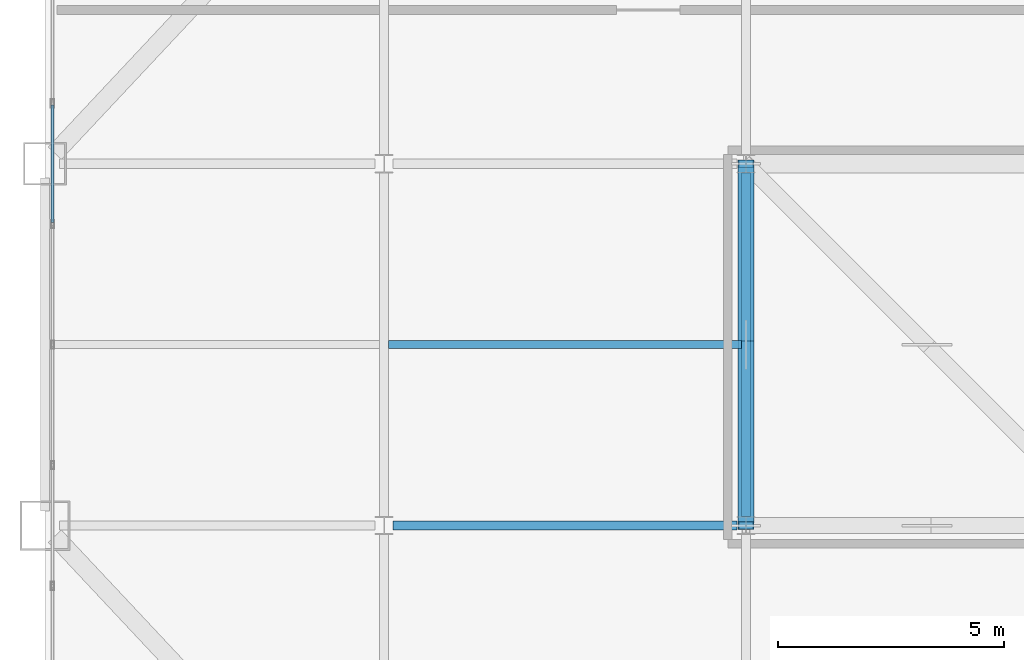
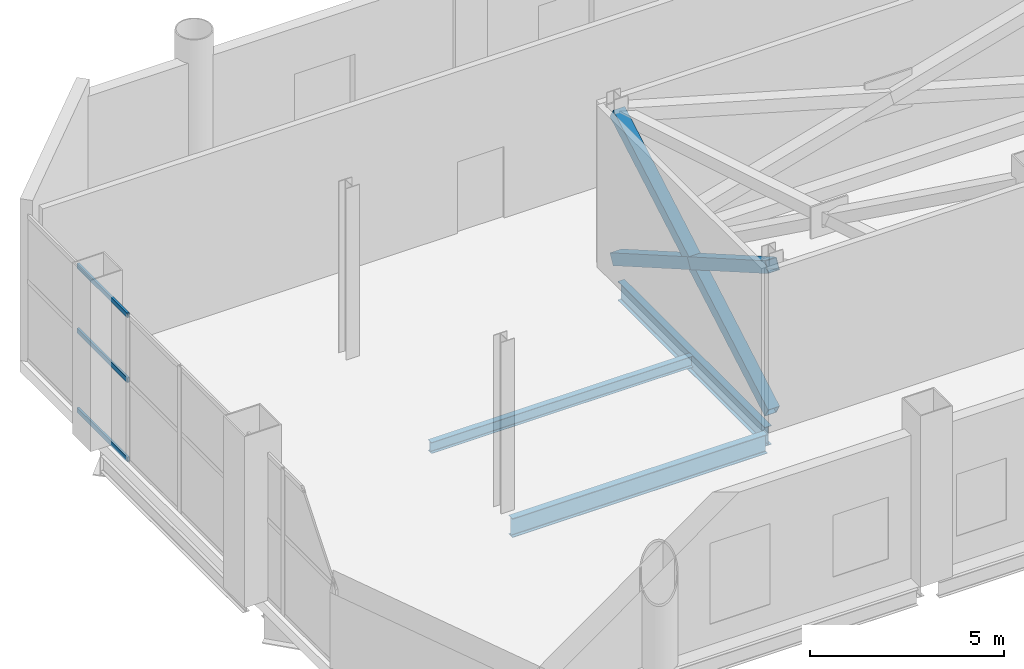
# One storey, part 15 of 24: 6 members, 3 beams, 1 element without a shape of its own.
"""IFC4 building model written with IfcOpenShell, lengths in metres."""

from ifc_helpers import new_model, si_unit, direction, frame, origin, origin_2d, place, context, subcontext, project, spatial, hollow_rectangle, i_section, extrude, material, layer, layer_set, material_profile, profile_set, type_object, element, aggregate, save


model = new_model("IFC4")

# Units and contexts
model_context = context("Model", 3, precision=1e-05, world=origin(), true_north=direction((0.0, 1.0)))
body_context = subcontext(model_context, "Body", "Model", "MODEL_VIEW")
ifc_project = project(units=[si_unit("LENGTHUNIT", "METRE"), si_unit("AREAUNIT", "SQUARE_METRE"), si_unit("VOLUMEUNIT", "CUBIC_METRE"), si_unit("PLANEANGLEUNIT", "RADIAN"), si_unit("MASSUNIT", "GRAM", prefix="KILO")], contexts=[model_context])

# Site, building, storey
site_placement = place(None, origin())
site = spatial("IfcSite", under=ifc_project, at=site_placement, CompositionType="ELEMENT")
building_placement = place(site_placement, origin())
building = spatial("IfcBuilding", under=site, at=building_placement, Name="Qianrong Seaharbour Tower", CompositionType="ELEMENT")
storey_placement = place(building_placement, frame((0.0, 0.0, 195.0)))
storey = spatial("IfcBuildingStorey", under=building, at=storey_placement, Name="L47", CompositionType="ELEMENT", Elevation=195.0)

# Beams
ifc_material_1 = material(Name="Structural steel SN490B", Category="steel")
ifc_material_profile_1 = material_profile(ifc_material_1, i_section(OverallWidth=0.199951171875, OverallDepth=0.60009765625, WebThickness=0.010986328125, FlangeThickness=0.01708984375, FilletRadius=0.02197265625, at=origin_2d()), Name="H600x200x11x17")
ifc_profile_set_1 = profile_set([ifc_material_profile_1], Name="Structural steel SN490B")
beam_type_1 = type_object("IfcBeamType", Name="BM-G-600", PredefinedType="BEAM", material=ifc_profile_set_1)
for number, where, z_axis, x_axis, name in (
    (1, (16.699951171875, 36.0, -0.64990234375), (1.0, 0.0, 0.0), (0.0, 1.0, 0.0), "L47 Primary Girder GF G3-G4"),
    (2, (24.5, 36.199951171875, -0.64990234375), (0.0, 1.0, 0.0), (-1.0, 0.0, 0.0), "L47 Primary Girder G4 GF-GG"),
):
    element("IfcBeam", number, at=place(storey_placement, frame(where, z_axis=z_axis, x_axis=x_axis)), inside=storey, type_object=beam_type_1, Name=name, PredefinedType="BEAM", context=body_context, shape_type="SweptSolid", body=[
        extrude(i_section(OverallWidth=0.199951171875, OverallDepth=0.60009765625, WebThickness=0.010986328125, FlangeThickness=0.01708984375, FilletRadius=0.02197265625, at=origin_2d()), origin(), (0.0, 0.0, 1.0), 7.60009765625),
    ])
ifc_material_2 = material(Name="Structural steel SN400B", Category="steel")
ifc_material_profile_2 = material_profile(ifc_material_2, i_section(OverallWidth=0.175048828125, OverallDepth=0.35009765625, WebThickness=0.007080078125, FlangeThickness=0.010986328125, FilletRadius=0.013916015625, at=origin_2d()), Name="H350x175x7x11")
ifc_profile_set_2 = profile_set([ifc_material_profile_2], Name="Structural steel SN400B")
beam_type_2 = type_object("IfcBeamType", Name="BM-J-350", PredefinedType="JOIST", material=ifc_profile_set_2)
beam_placement = place(storey_placement, frame((16.60009765625, 40.0, -0.52490234375), z_axis=(1.0, 0.0, 0.0), x_axis=(0.0, 1.0, 0.0)))
element("IfcBeam", 3, at=beam_placement, inside=storey, type_object=beam_type_2, Name="L47 Composite Floor Joist G3-G4/GF-GG", PredefinedType="JOIST", context=body_context, shape_type="SweptSolid", body=[
    extrude(i_section(OverallWidth=0.175048828125, OverallDepth=0.35009765625, WebThickness=0.007080078125, FlangeThickness=0.010986328125, FilletRadius=0.013916015625, at=origin_2d()), origin(), (0.0, 0.0, 1.0), 7.7998046875),
])

# Curtain wall, members
ifc_material_3 = material(Name="Anodised aluminium 6063-T6 and laminated low-e glass", Category="aluminium")
ifc_layer = layer(ifc_material_3, 0.18505859375)
ifc_layer_set = layer_set([ifc_layer], Name="Anodised aluminium 6063-T6 and laminated low-e glass")
curtain_wall_type = type_object("IfcCurtainWallType", Name="CW-SYS-4", PredefinedType="NOTDEFINED", material=ifc_layer_set)
curtain_wall_placement = place(storey_placement, origin())
curtain_wall = element("IfcCurtainWall", 4, at=curtain_wall_placement, inside=storey, type_object=curtain_wall_type, Name="L47 Refuge Acoustic Louvre Curtain Wall WEST_TIP", PredefinedType="NOTDEFINED")
ifc_material_4 = material(Name="Extruded aluminium 6063-T6", Category="aluminium")
ifc_material_profile_3 = material_profile(ifc_material_4, hollow_rectangle(XDim=0.06494140625, YDim=0.14990234375, WallThickness=0.00390625, at=origin_2d()), Name="ALU-TRN-150x65x4")
ifc_profile_set_3 = profile_set([ifc_material_profile_3], Name="Extruded aluminium 6063-T6")
member_type_1 = type_object("IfcMemberType", Name="CW-TRN-150", PredefinedType="USERDEFINED", material=ifc_profile_set_3)
member_1_placement = place(storey_placement, frame((9.169921875, 42.70166015625, 0.032470703125), z_axis=(0.0, 1.0, 0.0), x_axis=(-1.0, 0.0, 0.0)))
member_1 = element("IfcMember", 5, at=member_1_placement, type_object=member_type_1, Name="CW-4 transom 5.1", ObjectType="TRANSOM", PredefinedType="USERDEFINED", context=body_context, shape_type="SweptSolid", body=[
    extrude(hollow_rectangle(XDim=0.06494140625, YDim=0.14990234375, WallThickness=0.00390625, at=origin_2d()), origin(), (0.0, 0.0, 1.0), 2.5966796875),
])
member_2_placement = place(storey_placement, frame((9.169921875, 42.70166015625, 2.535400390625), z_axis=(0.0, 1.0, 0.0), x_axis=(-1.0, 0.0, 0.0)))
member_2 = element("IfcMember", 6, at=member_2_placement, type_object=member_type_1, Name="CW-4 transom 5.2", ObjectType="TRANSOM", PredefinedType="USERDEFINED", context=body_context, shape_type="SweptSolid", body=[
    extrude(hollow_rectangle(XDim=0.06494140625, YDim=0.14990234375, WallThickness=0.00390625, at=origin_2d()), origin(), (0.0, 0.0, 1.0), 2.5966796875),
])
member_3_placement = place(storey_placement, frame((9.169921875, 42.70166015625, 4.577392578125), z_axis=(0.0, 1.0, 0.0), x_axis=(-1.0, 0.0, 0.0)))
member_3 = element("IfcMember", 7, at=member_3_placement, type_object=member_type_1, Name="CW-4 transom 5.3", ObjectType="TRANSOM", PredefinedType="USERDEFINED", context=body_context, shape_type="SweptSolid", body=[
    extrude(hollow_rectangle(XDim=0.06494140625, YDim=0.14990234375, WallThickness=0.00390625, at=origin_2d()), origin(), (0.0, 0.0, 1.0), 2.5966796875),
])
aggregate(curtain_wall, [member_1, member_2, member_3])

# Members
ifc_material_profile_4 = material_profile(ifc_material_1, hollow_rectangle(XDim=0.35009765625, YDim=0.35009765625, WallThickness=0.01611328125, at=origin_2d()), Name="SHS350x350x16")
ifc_profile_set_4 = profile_set([ifc_material_profile_4], Name="Structural steel SN490B")
member_type_2 = type_object("IfcMemberType", Name="MEM-BT-SHS350", PredefinedType="BRACE", material=ifc_profile_set_4)
member_4_placement = place(storey_placement, frame((24.5, 36.0, 0.25), z_axis=(0.0, 0.866901730117, 0.498479077114), x_axis=(-1.0, 0.0, 0.0)))
element("IfcMember", 8, at=member_4_placement, inside=storey, type_object=member_type_2, Name="L47 Interior Belt Truss Diagonal Brace BT-16", PredefinedType="BRACE", context=body_context, shape_type="SweptSolid", body=[
    extrude(hollow_rectangle(XDim=0.35009765625, YDim=0.35009765625, WallThickness=0.01611328125, at=origin_2d()), origin(), (0.0, 0.0, 1.0), 9.228271484375),
])
for number, where, z_axis, x_axis, name in (
    (9, (24.5, 36.0, 4.85009765625), (0.0, 0.866901730117, -0.498479077114), (-1.0, 0.0, 0.0), "L47 Interior Belt Truss Diagonal Brace BT-17"),
    (10, (24.5, 40.0, 2.550048828125), (0.0, 0.866901730117, -0.498479077114), (-1.0, 0.0, 0.0), "L47 Interior Belt Truss Diagonal Brace BT-18"),
):
    element("IfcMember", number, at=place(storey_placement, frame(where, z_axis=z_axis, x_axis=x_axis)), inside=storey, type_object=member_type_2, Name=name, PredefinedType="BRACE", context=body_context, shape_type="SweptSolid", body=[
        extrude(hollow_rectangle(XDim=0.35009765625, YDim=0.35009765625, WallThickness=0.01611328125, at=origin_2d()), origin(), (0.0, 0.0, 1.0), 4.614013671875),
    ])

save(model, "model.ifc")
